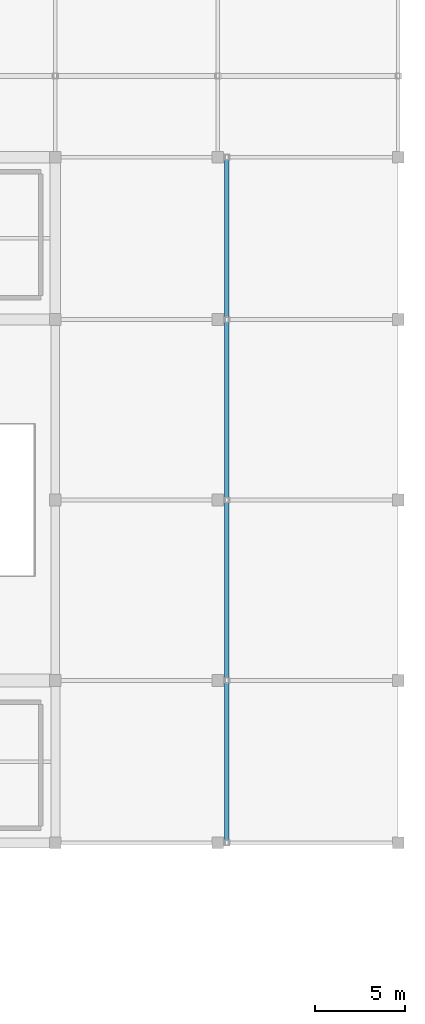
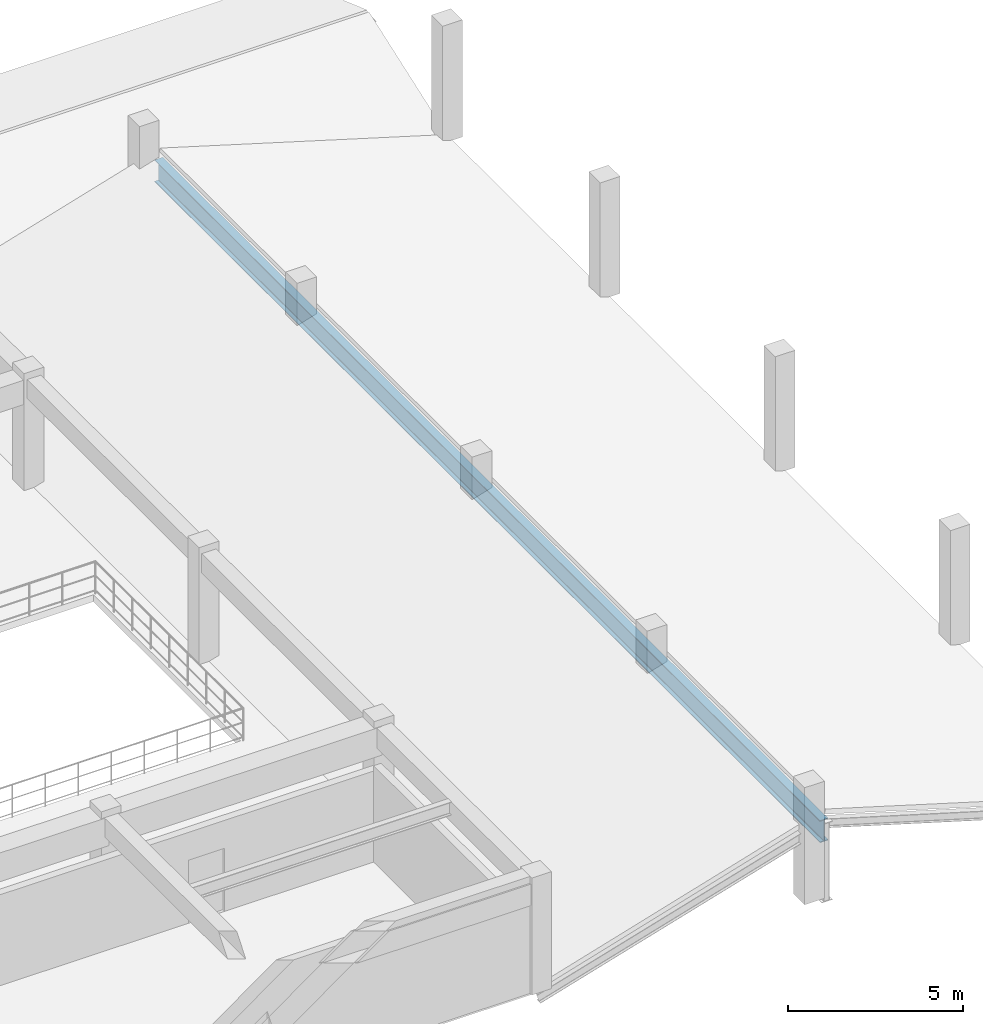
# One storey, part 58 of 80: 1 beam.
"""IFC4 building model written with IfcOpenShell, lengths in metres."""

from ifc_helpers import new_model, si_unit, direction, frame, origin, origin_2d, place, context, subcontext, project, spatial, i_section, extrude, material, material_profile, profile_set, type_object, element, save


model = new_model("IFC4")

# Units and contexts
model_context = context("Model", 3, precision=1e-05, world=origin(), true_north=direction((0.0, 1.0)))
body_context = subcontext(model_context, "Body", "Model", "MODEL_VIEW")
ifc_project = project(units=[si_unit("LENGTHUNIT", "METRE"), si_unit("AREAUNIT", "SQUARE_METRE"), si_unit("VOLUMEUNIT", "CUBIC_METRE"), si_unit("PLANEANGLEUNIT", "RADIAN"), si_unit("MASSUNIT", "GRAM", prefix="KILO")], contexts=[model_context])

# Site, building, storey
site_placement = place(None, origin())
site = spatial("IfcSite", under=ifc_project, at=site_placement, CompositionType="ELEMENT")
building_placement = place(site_placement, origin())
building = spatial("IfcBuilding", under=site, at=building_placement, Name="Miravela Opera House", CompositionType="ELEMENT")
storey_placement = place(building_placement, frame((0.0, 0.0, 17.679931640625)))
storey = spatial("IfcBuildingStorey", under=building, at=storey_placement, Name="L04", CompositionType="ELEMENT", Elevation=17.679931640625)

# Beam
ifc_material = material(Name="Structural steel ASTM A992 Gr. 50", Category="steel")
ifc_material_profile = material_profile(ifc_material, i_section(OverallWidth=0.26806640625, OverallDepth=0.77001953125, WebThickness=0.015625, FlangeThickness=0.025390625, FilletRadius=0.02001953125, at=origin_2d()), Name="W760X196")
ifc_profile_set = profile_set([ifc_material_profile])
beam_type = type_object("IfcBeamType", Name="STR-BM-W760X196", PredefinedType="BEAM", material=ifc_profile_set)
beam_placement = place(storey_placement, frame((144.5, 37.0, 2.10498046875), z_axis=(0.0, 1.0, 0.0), x_axis=(-1.0, 0.0, 0.0)))
element("IfcBeam", 1, at=beam_placement, inside=storey, type_object=beam_type, Name="Clay Tile Roof Ridge Beam ROOF-V2-REAR", PredefinedType="BEAM", context=body_context, shape_type="SweptSolid", body=[
    extrude(i_section(OverallWidth=0.26806640625, OverallDepth=0.77001953125, WebThickness=0.015625, FlangeThickness=0.025390625, FilletRadius=0.02001953125, at=origin_2d()), origin(), (0.0, 0.0, 1.0), 38.0),
])

save(model, "model.ifc")
